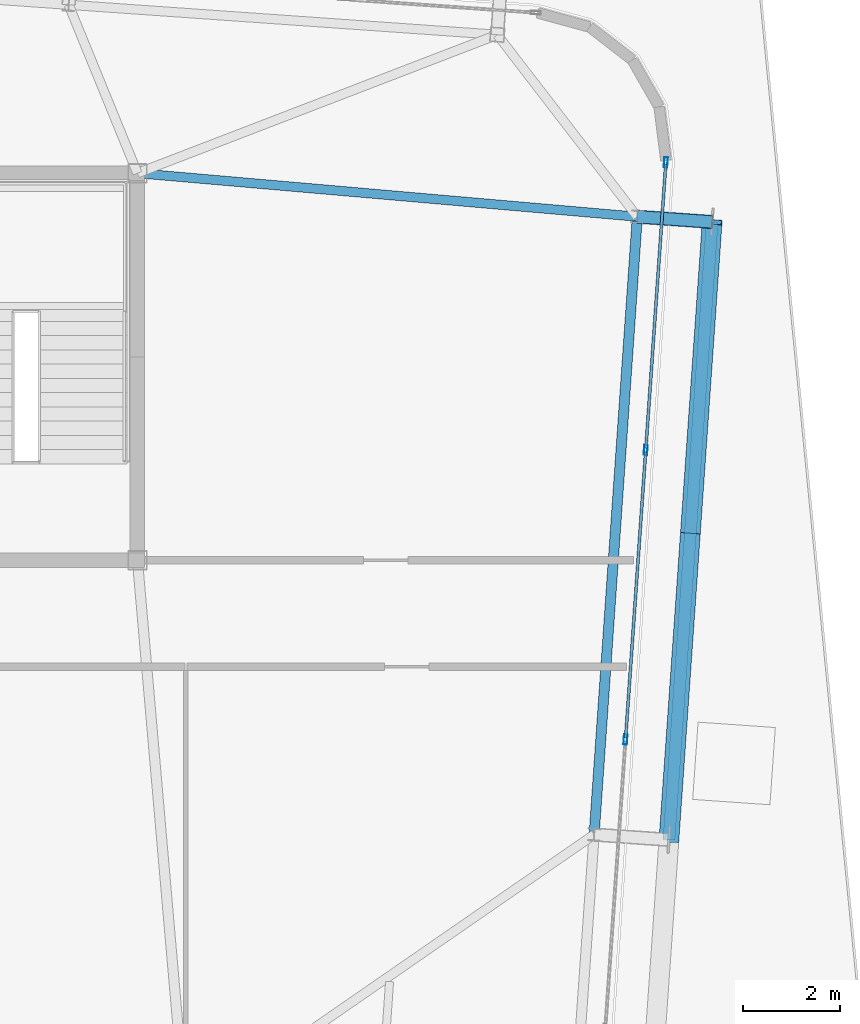
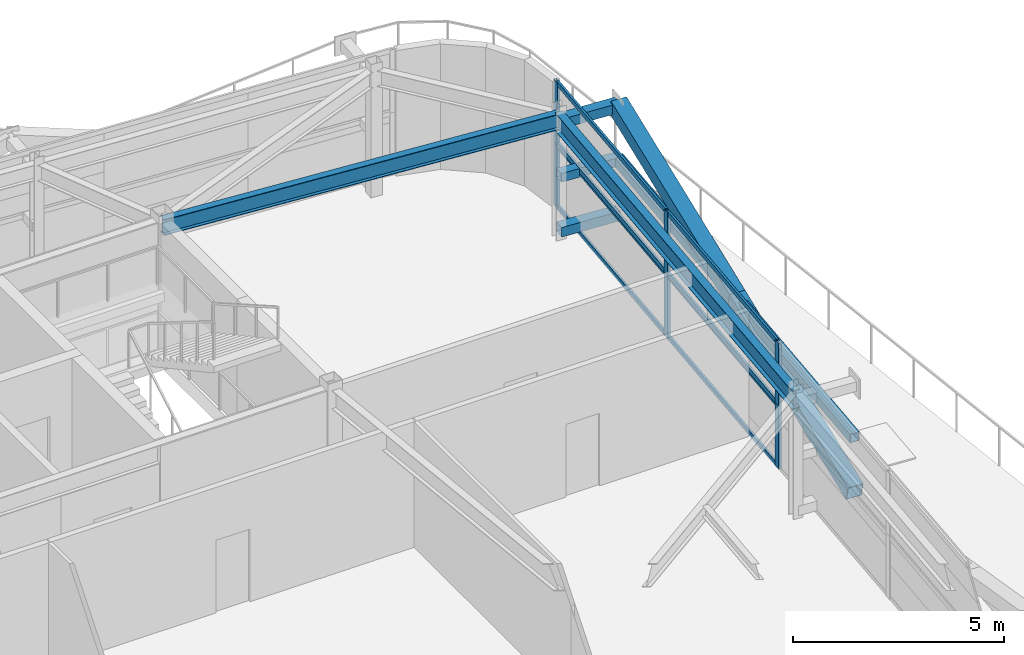
# One storey, part 18 of 36: 20 members, 2 beams, 2 elements without a shape of their own.
"""IFC4 building model written with IfcOpenShell, lengths in metres."""

from ifc_helpers import new_model, si_unit, direction, frame, origin, origin_2d, place, context, subcontext, project, spatial, hollow_rectangle, i_section, extrude, source, transform, mapped, material, layer, layer_set, material_profile, profile_set, type_object, element, aggregate, save


model = new_model("IFC4")

# Units and contexts
model_context = context("Model", 3, precision=1e-05, world=origin(), true_north=direction((0.0, 1.0)))
body_context = subcontext(model_context, "Body", "Model", "MODEL_VIEW")
ifc_project = project(units=[si_unit("LENGTHUNIT", "METRE"), si_unit("AREAUNIT", "SQUARE_METRE"), si_unit("VOLUMEUNIT", "CUBIC_METRE"), si_unit("PLANEANGLEUNIT", "RADIAN"), si_unit("MASSUNIT", "GRAM", prefix="KILO")], contexts=[model_context])

# Site, building, storey
site_placement = place(None, origin())
site = spatial("IfcSite", under=ifc_project, at=site_placement, CompositionType="ELEMENT")
building_placement = place(site_placement, origin())
building = spatial("IfcBuilding", under=site, at=building_placement, Name="Taldren Reach Tower", CompositionType="ELEMENT")
storey_placement = place(building_placement, frame((0.0, 0.0, 116.550048828125)))
storey = spatial("IfcBuildingStorey", under=building, at=storey_placement, Name="L35", CompositionType="ELEMENT", Elevation=116.550048828125)

# Members
ifc_material_1 = material(Name="Steel Gr 450 (C450L0)", Category="steel")
ifc_material_profile_1 = material_profile(ifc_material_1, hollow_rectangle(XDim=0.27490234375, YDim=0.27490234375, WallThickness=0.00927734375, at=origin_2d()), Name="275x275x9.3SHS")
ifc_profile_set_1 = profile_set([ifc_material_profile_1], Name="Steel Gr 450 (C450L0)")
member_type_1 = type_object("IfcMemberType", Name="MB-TIE273", PredefinedType="STRUT", material=ifc_profile_set_1)
shared_shape_1 = source(origin(), body_context, "Body", "SweptSolid", [
    extrude(hollow_rectangle(XDim=0.27490234375, YDim=0.27490234375, WallThickness=0.00927734375, at=origin_2d()), origin(), (0.0, 0.0, 1.0), 1.550048828125),
])
for number, where, z_axis, x_axis, name in (
    (1, (61.3310546875, 31.1005859375, 3.349853515625), (0.99756313426, -0.06976957191, 0.0), (0.06976957191, 0.99756313426, 0.0), "Exoskeleton diaphragm tie strut B3-E3 L35"),
    (2, (61.3310546875, 31.1005859375, 0.219970703125), (0.99756313426, -0.06976957191, 0.0), (0.06976957191, 0.99756313426, 0.0), "Exoskeleton base diaphragm tie strut B3-E3 L35"),
):
    element("IfcMember", number, at=place(storey_placement, frame(where, z_axis=z_axis, x_axis=x_axis)), inside=storey, type_object=member_type_1, Name=name, PredefinedType="STRUT", context=body_context, shape_type="MappedRepresentation", body=[
        mapped(shared_shape_1, transform((0.0, 0.0, 0.0), scale=1.0)),
    ])
ifc_material_2 = material(Name="Steel Gr 350 (C350L0)", Category="steel")
ifc_material_profile_2 = material_profile(ifc_material_2, hollow_rectangle(XDim=0.25, YDim=0.25, WallThickness=0.010009765625, at=origin_2d()), Name="250x250x10.0SHS")
ifc_profile_set_2 = profile_set([ifc_material_profile_2], Name="Steel Gr 350 (C350L0)")
member_type_2 = type_object("IfcMemberType", Name="MB-POST250", PredefinedType="POST", material=ifc_profile_set_2)
shared_shape_2 = source(origin(), body_context, "Body", "SweptSolid", [
    extrude(hollow_rectangle(XDim=0.25, YDim=0.25, WallThickness=0.010009765625, at=origin_2d()), origin(), (0.0, 0.0, 1.0), 1.550048828125),
])
member_1_placement = place(storey_placement, frame((61.3310546875, 31.1005859375, 1.784912109375), z_axis=(0.99756313426, -0.06976957191, 0.0), x_axis=(0.06976957191, 0.99756313426, 0.0)))
element("IfcMember", 3, at=member_1_placement, inside=storey, type_object=member_type_2, Name="Exoskeleton mid-tier diaphragm tie B3-E3 L35", PredefinedType="POST", context=body_context, shape_type="MappedRepresentation", body=[
    mapped(shared_shape_2, transform((0.0, 0.0, 0.0), scale=1.0)),
])

# Beams
ifc_material_3 = material(Name="Steel Gr 350 (350PLUS)", Category="steel")
ifc_material_profile_3 = material_profile(ifc_material_3, i_section(OverallWidth=0.208984375, OverallDepth=0.528076171875, WebThickness=0.009521484375, FlangeThickness=0.01318359375, at=origin_2d()), Name="530UB82.0")
ifc_profile_set_3 = profile_set([ifc_material_profile_3], Name="Steel Gr 350 (350PLUS)")
beam_type_1 = type_object("IfcBeamType", Name="SP-UB530B", PredefinedType="SPANDREL", material=ifc_profile_set_3)
shared_shape_3 = source(origin(), body_context, "Body", "SweptSolid", [
    extrude(i_section(OverallWidth=0.208984375, OverallDepth=0.528076171875, WebThickness=0.009521484375, FlangeThickness=0.01318359375, at=origin_2d()), origin(), (0.0, 0.0, 1.0), 12.800048828125),
])
beam_1_placement = place(storey_placement, frame((60.438232421875, 18.331787109375, 3.365966796875), z_axis=(0.069751876777, 0.9975643717, 0.0), x_axis=(-0.9975643717, 0.069751876777, 0.0)))
element("IfcBeam", 4, at=beam_1_placement, inside=storey, type_object=beam_type_1, Name="Perimeter spandrel B3 E2-E3 L35", PredefinedType="SPANDREL", context=body_context, shape_type="MappedRepresentation", body=[
    mapped(shared_shape_3, transform((0.0, 0.0, 0.0), scale=1.0)),
])
ifc_material_profile_4 = material_profile(ifc_material_3, i_section(OverallWidth=0.19091796875, OverallDepth=0.4599609375, WebThickness=0.010009765625, FlangeThickness=0.01611328125, at=origin_2d()), Name="460UB82.1")
ifc_profile_set_4 = profile_set([ifc_material_profile_4], Name="Steel Gr 350 (350PLUS)")
beam_type_2 = type_object("IfcBeamType", Name="BM-UB460A", PredefinedType="BEAM", material=ifc_profile_set_4)
shared_shape_4 = source(origin(), body_context, "Body", "SweptSolid", [
    extrude(i_section(OverallWidth=0.19091796875, OverallDepth=0.4599609375, WebThickness=0.010009765625, FlangeThickness=0.01611328125, at=origin_2d()), origin(), (0.0, 0.0, 1.0), 10.3701171875),
])
beam_2_placement = place(storey_placement, frame((51.0, 32.0, 3.39990234375), z_axis=(0.996231748992, -0.086731207186, 0.0), x_axis=(0.086731207186, 0.996231748992, 0.0)))
element("IfcBeam", 5, at=beam_2_placement, inside=storey, type_object=beam_type_2, Name="Primary floor girder B3-E3 L35", PredefinedType="BEAM", context=body_context, shape_type="MappedRepresentation", body=[
    mapped(shared_shape_4, transform((0.0, 0.0, 0.0), scale=1.0)),
])

# Members
ifc_material_profile_5 = material_profile(ifc_material_1, hollow_rectangle(XDim=0.409912109375, YDim=0.409912109375, WallThickness=0.01611328125, at=origin_2d()), Name="410x410x16.0SHS")
ifc_profile_set_5 = profile_set([ifc_material_profile_5], Name="Steel Gr 450 (C450L0)")
member_type_3 = type_object("IfcMemberType", Name="MB-EXO406", PredefinedType="BRACE", material=ifc_profile_set_5)
shared_shape_5 = source(origin(), body_context, "Body", "SweptSolid", [
    extrude(hollow_rectangle(XDim=0.409912109375, YDim=0.409912109375, WallThickness=0.01611328125, at=origin_2d()), origin(), (0.0, 0.0, 1.0), 6.588623046875),
])
member_2_placement = place(storey_placement, frame((62.430908203125, 24.60791015625, 1.784912109375), z_axis=(0.06777290834, 0.969015487146, 0.237520143498), x_axis=(-0.997563137195, 0.069769529958, 0.0)))
element("IfcMember", 6, at=member_2_placement, inside=storey, type_object=member_type_3, Name="Exoskeleton Diagrid Brace B3-E2 L35", PredefinedType="BRACE", context=body_context, shape_type="MappedRepresentation", body=[
    mapped(shared_shape_5, transform((0.0, 0.0, 0.0), scale=1.0)),
])
shared_shape_6 = source(origin(), body_context, "Body", "SweptSolid", [
    extrude(hollow_rectangle(XDim=0.409912109375, YDim=0.409912109375, WallThickness=0.01611328125, at=origin_2d()), origin(), (0.0, 0.0, 1.0), 6.58837890625),
])
member_3_placement = place(storey_placement, frame((61.984375, 18.2236328125, 0.219970703125), z_axis=(0.067775341912, 0.969013226359, 0.237528672312), x_axis=(-0.997562951496, 0.069772185021, 0.0)))
element("IfcMember", 7, at=member_3_placement, inside=storey, type_object=member_type_3, Name="Exoskeleton Diagrid Brace B3-E2 L35", PredefinedType="BRACE", context=body_context, shape_type="MappedRepresentation", body=[
    mapped(shared_shape_6, transform((0.0, 0.0, 0.0), scale=1.0)),
])
shared_shape_7 = source(origin(), body_context, "Body", "SweptSolid", [
    extrude(hollow_rectangle(XDim=0.25, YDim=0.25, WallThickness=0.010009765625, at=origin_2d()), origin(), (0.0, 0.0, 1.0), 12.800048828125),
])
member_4_placement = place(storey_placement, frame((61.984375, 18.2236328125, 1.784912109375), z_axis=(0.069770857464, 0.997563044348, 0.0), x_axis=(-0.997563044348, 0.069770857464, 0.0)))
element("IfcMember", 8, at=member_4_placement, inside=storey, type_object=member_type_2, Name="Exoskeleton mid-height ring chord B3-E2 L35", PredefinedType="POST", context=body_context, shape_type="MappedRepresentation", body=[
    mapped(shared_shape_7, transform((0.0, 0.0, 0.0), scale=1.0)),
])

# Curtain wall, members
ifc_material_4 = material(Name="Aluminium and Low-E Glass Unitised System", Category="aluminium")
ifc_layer = layer(ifc_material_4, 0.159912109375)
ifc_layer_set = layer_set([ifc_layer], Name="Aluminium and Low-E Glass Unitised System")
curtain_wall_type = type_object("IfcCurtainWallType", Name="CW-SYS-7", PredefinedType="NOTDEFINED", material=ifc_layer_set)
curtain_wall_1_placement = place(storey_placement, origin())
curtain_wall_1 = element("IfcCurtainWall", 9, at=curtain_wall_1_placement, inside=storey, type_object=curtain_wall_type, Name="Unitised curtain wall CW-L35-E2", PredefinedType="NOTDEFINED")
ifc_material_5 = material(Name="Anodised Aluminium 6063-T6", Category="aluminium")
ifc_material_profile_6 = material_profile(ifc_material_5, hollow_rectangle(XDim=0.074951171875, YDim=0.2099609375, WallThickness=0.00439453125, at=origin_2d()), Name="ALU-210x75x4.5RHS")
ifc_profile_set_6 = profile_set([ifc_material_profile_6], Name="Anodised Aluminium 6063-T6")
member_type_4 = type_object("IfcMemberType", Name="CW-MUL-200", PredefinedType="MULLION", material=ifc_profile_set_6)
shared_shape_8 = source(origin(), body_context, "Body", "SweptSolid", [
    extrude(hollow_rectangle(XDim=0.074951171875, YDim=0.2099609375, WallThickness=0.00439453125, at=origin_2d()), origin(), (0.0, 0.0, 1.0), 1.81494140625),
])
member_5_placement = place(storey_placement, frame((61.0869140625, 20.296142578125, 0.0), z_axis=(0.0, 0.0, 1.0), x_axis=(-0.997564043576, 0.069756569329, 0.0)))
member_5 = element("IfcMember", 10, at=member_5_placement, type_object=member_type_4, Name="CW-7 mullion 3", PredefinedType="MULLION", context=body_context, shape_type="MappedRepresentation", body=[
    mapped(shared_shape_8, transform((0.0, 0.0, 0.0), scale=1.0)),
])
member_6_placement = place(storey_placement, frame((61.505126953125, 26.279052734375, 0.0), z_axis=(0.0, 0.0, 1.0), x_axis=(-0.997564043576, 0.069756569329, 0.0)))
member_6 = element("IfcMember", 11, at=member_6_placement, type_object=member_type_4, Name="CW-7 mullion 4", PredefinedType="MULLION", context=body_context, shape_type="MappedRepresentation", body=[
    mapped(shared_shape_8, transform((0.0, 0.0, 0.0), scale=1.0)),
])
member_7_placement = place(storey_placement, frame((61.9208984375, 32.224609375, 0.0), z_axis=(0.0, 0.0, 1.0), x_axis=(-0.997564043576, 0.069756569329, 0.0)))
member_7 = element("IfcMember", 12, at=member_7_placement, type_object=member_type_4, Name="CW-7 mullion 5", PredefinedType="MULLION", context=body_context, shape_type="MappedRepresentation", body=[
    mapped(shared_shape_8, transform((0.0, 0.0, 0.0), scale=1.0)),
])

curtain_wall_2_placement = place(storey_placement, origin())
curtain_wall_2 = element("IfcCurtainWall", 13, at=curtain_wall_2_placement, inside=storey, type_object=curtain_wall_type, Name="Unitised curtain wall CW-L35-E2-T2", PredefinedType="NOTDEFINED")
member_8_placement = place(storey_placement, frame((61.0869140625, 20.296142578125, 1.81494140625), z_axis=(0.0, 0.0, 1.0), x_axis=(-0.997564043576, 0.069756569329, 0.0)))
member_8 = element("IfcMember", 14, at=member_8_placement, type_object=member_type_4, Name="CW-7 mullion 3", PredefinedType="MULLION", context=body_context, shape_type="MappedRepresentation", body=[
    mapped(shared_shape_8, transform((0.0, 0.0, 0.0), scale=1.0)),
])
member_9_placement = place(storey_placement, frame((61.505126953125, 26.279052734375, 1.81494140625), z_axis=(0.0, 0.0, 1.0), x_axis=(-0.997564043576, 0.069756569329, 0.0)))
member_9 = element("IfcMember", 15, at=member_9_placement, type_object=member_type_4, Name="CW-7 mullion 4", PredefinedType="MULLION", context=body_context, shape_type="MappedRepresentation", body=[
    mapped(shared_shape_8, transform((0.0, 0.0, 0.0), scale=1.0)),
])
member_10_placement = place(storey_placement, frame((61.9208984375, 32.224609375, 1.81494140625), z_axis=(0.0, 0.0, 1.0), x_axis=(-0.997564043576, 0.069756569329, 0.0)))
member_10 = element("IfcMember", 16, at=member_10_placement, type_object=member_type_4, Name="CW-7 mullion 5", PredefinedType="MULLION", context=body_context, shape_type="MappedRepresentation", body=[
    mapped(shared_shape_8, transform((0.0, 0.0, 0.0), scale=1.0)),
])

# Member
ifc_material_profile_7 = material_profile(ifc_material_5, hollow_rectangle(XDim=0.06005859375, YDim=0.135009765625, WallThickness=0.00341796875, at=origin_2d()), Name="ALU-135x60x3.5RHS")
ifc_profile_set_7 = profile_set([ifc_material_profile_7], Name="Anodised Aluminium 6063-T6")
member_type_5 = type_object("IfcMemberType", Name="CW-TRN-150", PredefinedType="USERDEFINED", material=ifc_profile_set_7)
shared_shape_9 = source(origin(), body_context, "Body", "SweptSolid", [
    extrude(hollow_rectangle(XDim=0.06005859375, YDim=0.135009765625, WallThickness=0.00341796875, at=origin_2d()), origin(), (0.0, 0.0, 1.0), 5.92236328125),
])
member_11_placement = place(storey_placement, frame((61.089599609375, 20.333740234375, 0.030029296875), z_axis=(0.06974995431, 0.997564506122, 0.0), x_axis=(-0.997564506122, 0.06974995431, 0.0)))
member_11 = element("IfcMember", 17, at=member_11_placement, type_object=member_type_5, Name="CW-7 transom 3.1", ObjectType="TRANSOM", PredefinedType="USERDEFINED", context=body_context, shape_type="MappedRepresentation", body=[
    mapped(shared_shape_9, transform((0.0, 0.0, 0.0), scale=1.0)),
])

member_12_placement = place(storey_placement, frame((61.089599609375, 20.333740234375, 1.784912109375), z_axis=(0.06974995431, 0.997564506122, 0.0), x_axis=(-0.997564506122, 0.06974995431, 0.0)))
member_12 = element("IfcMember", 18, at=member_12_placement, type_object=member_type_5, Name="CW-7 transom 3.2", ObjectType="TRANSOM", PredefinedType="USERDEFINED", context=body_context, shape_type="MappedRepresentation", body=[
    mapped(shared_shape_9, transform((0.0, 0.0, 0.0), scale=1.0)),
])

member_13_placement = place(storey_placement, frame((61.089599609375, 20.333740234375, 1.844970703125), z_axis=(0.06974995431, 0.997564506122, 0.0), x_axis=(-0.997564506122, 0.06974995431, 0.0)))
member_13 = element("IfcMember", 19, at=member_13_placement, type_object=member_type_5, Name="CW-7 transom 3.1", ObjectType="TRANSOM", PredefinedType="USERDEFINED", context=body_context, shape_type="MappedRepresentation", body=[
    mapped(shared_shape_9, transform((0.0, 0.0, 0.0), scale=1.0)),
])

member_14_placement = place(storey_placement, frame((61.089599609375, 20.333740234375, 3.599853515625), z_axis=(0.06974995431, 0.997564506122, 0.0), x_axis=(-0.997564506122, 0.06974995431, 0.0)))
member_14 = element("IfcMember", 20, at=member_14_placement, type_object=member_type_5, Name="CW-7 transom 3.2", ObjectType="TRANSOM", PredefinedType="USERDEFINED", context=body_context, shape_type="MappedRepresentation", body=[
    mapped(shared_shape_9, transform((0.0, 0.0, 0.0), scale=1.0)),
])

shared_shape_10 = source(origin(), body_context, "Body", "SweptSolid", [
    extrude(hollow_rectangle(XDim=0.06005859375, YDim=0.135009765625, WallThickness=0.00341796875, at=origin_2d()), origin(), (0.0, 0.0, 1.0), 5.88525390625),
])
member_15_placement = place(storey_placement, frame((61.5078125, 26.31640625, 0.030029296875), z_axis=(0.069775874345, 0.997562693448, 0.0), x_axis=(-0.997562693448, 0.069775874345, 0.0)))
member_15 = element("IfcMember", 21, at=member_15_placement, type_object=member_type_5, Name="CW-7 transom 4.1", ObjectType="TRANSOM", PredefinedType="USERDEFINED", context=body_context, shape_type="MappedRepresentation", body=[
    mapped(shared_shape_10, transform((0.0, 0.0, 0.0), scale=1.0)),
])

member_16_placement = place(storey_placement, frame((61.5078125, 26.31640625, 1.784912109375), z_axis=(0.069775874345, 0.997562693448, 0.0), x_axis=(-0.997562693448, 0.069775874345, 0.0)))
member_16 = element("IfcMember", 22, at=member_16_placement, type_object=member_type_5, Name="CW-7 transom 4.2", ObjectType="TRANSOM", PredefinedType="USERDEFINED", context=body_context, shape_type="MappedRepresentation", body=[
    mapped(shared_shape_10, transform((0.0, 0.0, 0.0), scale=1.0)),
])

aggregate(curtain_wall_1, [member_5, member_6, member_7, member_11, member_12, member_15, member_16])

member_17_placement = place(storey_placement, frame((61.5078125, 26.31640625, 1.844970703125), z_axis=(0.069775874345, 0.997562693448, 0.0), x_axis=(-0.997562693448, 0.069775874345, 0.0)))
member_17 = element("IfcMember", 23, at=member_17_placement, type_object=member_type_5, Name="CW-7 transom 4.1", ObjectType="TRANSOM", PredefinedType="USERDEFINED", context=body_context, shape_type="MappedRepresentation", body=[
    mapped(shared_shape_10, transform((0.0, 0.0, 0.0), scale=1.0)),
])

member_18_placement = place(storey_placement, frame((61.5078125, 26.31640625, 3.599853515625), z_axis=(0.069775874345, 0.997562693448, 0.0), x_axis=(-0.997562693448, 0.069775874345, 0.0)))
member_18 = element("IfcMember", 24, at=member_18_placement, type_object=member_type_5, Name="CW-7 transom 4.2", ObjectType="TRANSOM", PredefinedType="USERDEFINED", context=body_context, shape_type="MappedRepresentation", body=[
    mapped(shared_shape_10, transform((0.0, 0.0, 0.0), scale=1.0)),
])

aggregate(curtain_wall_2, [member_8, member_9, member_10, member_13, member_14, member_17, member_18])

save(model, "model.ifc")
